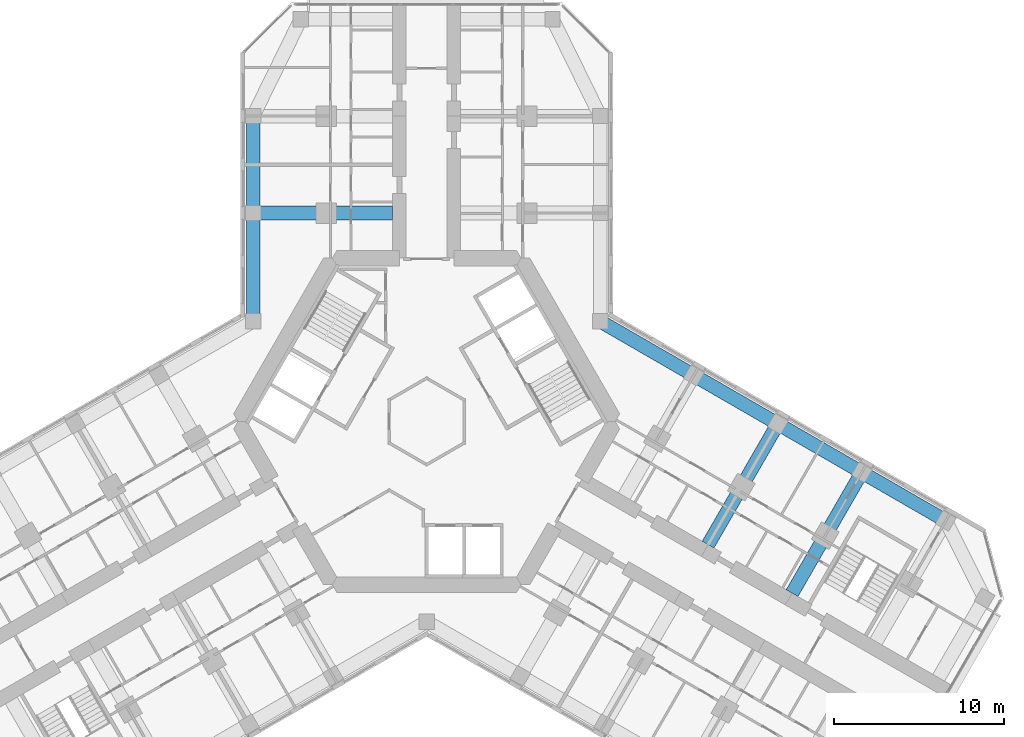
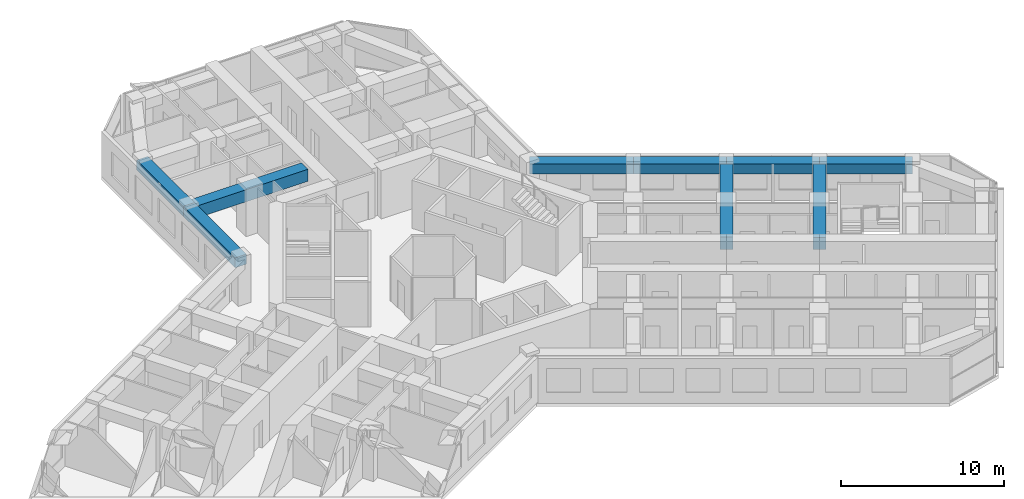
# One storey, part 6 of 19: 9 beams.
"""IFC4 building model written with IfcOpenShell, lengths in metres."""

import ifcopenshell
import ifcopenshell.guid

model = None  # the IFC model being written
_history = None  # IfcOwnerHistory: only IFC2X3 demands one
_inside = {}  # id of a spatial element -> (the spatial element, [elements in it])
_under = {}  # id of a project, library or spatial element -> (it, [spatial elements below it])
_declared = {}  # id of a project -> (the project, [libraries it declares])
_typed = {}  # id of a type object -> (the type object, [elements of that type])
_made_of = {}  # id of a material, layer set ... -> (it, [elements and type objects made of it])


def new_model(schema):
    """Start an empty IFC model of exactly this schema.

    Asked for "IFC4X3", IfcOpenShell would pick the latest addendum, in which some entities
    have other attributes; the version numbers below select the first issue.
    IFC2X3 requires an IfcOwnerHistory on every rooted entity: one is made here for all.
    """
    global model, _history
    if schema == "IFC4X3":
        model = ifcopenshell.file(schema_version=(4, 3, 0, 0))
    else:
        model = ifcopenshell.file(schema=schema)
    _inside.clear()
    _under.clear()
    _declared.clear()
    _typed.clear()
    _made_of.clear()
    _history = None
    if model.schema == "IFC2X3":
        org = make("IfcOrganization", Name="unknown")
        user = make(
            "IfcPersonAndOrganization",
            ThePerson=make("IfcPerson", FamilyName="unknown"),
            TheOrganization=org,
        )
        app = make(
            "IfcApplication",
            ApplicationDeveloper=org,
            Version="unknown",
            ApplicationFullName="unknown",
            ApplicationIdentifier="unknown",
        )
        _history = make(
            "IfcOwnerHistory",
            OwningUser=user,
            OwningApplication=app,
            ChangeAction="ADDED",
            CreationDate=0,
        )
    return model


def make(cls, **values):
    """One entity of the class cls with the attributes given. An attribute that is None is left unset."""
    return model.create_entity(
        cls, **{name: value for name, value in values.items() if value is not None}
    )


def rooted(cls, **values):
    """An entity with a GlobalId (a new one), such as an element, a storey or a relation."""
    return make(cls, GlobalId=ifcopenshell.guid.new(), OwnerHistory=_history, **values)


def si_unit(unit_type, name, prefix=None):
    """IfcSIUnit, for example si_unit("LENGTHUNIT", "METRE", prefix="MILLI")."""
    return make("IfcSIUnit", UnitType=unit_type, Prefix=prefix, Name=name)


def assignment(units):
    """IfcUnitAssignment: the units of a project."""
    return None if units is None else make("IfcUnitAssignment", Units=units)


def point(xyz):
    """IfcCartesianPoint."""
    return None if xyz is None else make("IfcCartesianPoint", Coordinates=xyz)


def direction(xyz):
    """IfcDirection."""
    return None if xyz is None else make("IfcDirection", DirectionRatios=xyz)


def frame(location, z_axis=None, x_axis=None):
    """IfcAxis2Placement3D, a coordinate frame: its origin and axes. An axis left out is left unset."""
    return make(
        "IfcAxis2Placement3D",
        Location=point(location),
        Axis=direction(z_axis),
        RefDirection=direction(x_axis),
    )


def frame_2d(location, x_axis=None):
    """IfcAxis2Placement2D, a coordinate frame in the plane: its origin and x axis."""
    return make(
        "IfcAxis2Placement2D", Location=point(location), RefDirection=direction(x_axis)
    )


def origin():
    """The frame at (0, 0, 0) with its axes left unset."""
    return frame((0.0, 0.0, 0.0))


def origin_2d():
    """The frame at (0, 0) in the plane with its x axis left unset."""
    return frame_2d((0.0, 0.0))


def place(relative_to, where):
    """IfcLocalPlacement: puts the frame where relative to a parent placement (None: the world)."""
    return make(
        "IfcLocalPlacement", PlacementRelTo=relative_to, RelativePlacement=where
    )


def context(
    kind, dimensions, precision=None, world=None, true_north=None, identifier=None
):
    """IfcGeometricRepresentationContext, for example the 3D "Model" context."""
    return make(
        "IfcGeometricRepresentationContext",
        ContextIdentifier=identifier,
        ContextType=kind,
        CoordinateSpaceDimension=dimensions,
        Precision=precision,
        WorldCoordinateSystem=world,
        TrueNorth=true_north,
    )


def subcontext(parent, identifier, kind, view, scale=None):
    """IfcGeometricRepresentationSubContext, for example "Body" below "Model"."""
    return make(
        "IfcGeometricRepresentationSubContext",
        ContextIdentifier=identifier,
        ContextType=kind,
        ParentContext=parent,
        TargetScale=scale,
        TargetView=view,
    )


def project(units=None, contexts=None):
    """IfcProject with its units and contexts."""
    return rooted(
        "IfcProject",
        Name="project",
        RepresentationContexts=contexts,
        UnitsInContext=assignment(units),
    )


def spatial(cls, under=None, at=None, **own):
    """A site, building, storey or space (cls), placed at a placement, below another one or the project."""
    s = rooted(cls, ObjectPlacement=at, **own)
    if under is not None:
        _under.setdefault(under.id(), (under, []))[1].append(s)
    return s


def profile(cls, at=None, kind="AREA", **sizes):
    """A parametric profile (cls). Its sizes go by their IFC names, for example OverallWidth=200.0."""
    return make(cls, ProfileType=kind, Position=at, **sizes)


def rectangle(**sizes):
    """IfcRectangleProfileDef."""
    return profile("IfcRectangleProfileDef", **sizes)


def extrude(swept, where, along, depth):
    """IfcExtrudedAreaSolid: the profile swept, set in the frame where, extruded along a direction by depth."""
    return make(
        "IfcExtrudedAreaSolid",
        SweptArea=swept,
        Position=where,
        ExtrudedDirection=direction(along),
        Depth=depth,
    )


def shape(context_of_items, identifier, shape_type, items):
    """IfcShapeRepresentation: the items that make up one representation, for example the "Body"."""
    return make(
        "IfcShapeRepresentation",
        ContextOfItems=context_of_items,
        RepresentationIdentifier=identifier,
        RepresentationType=shape_type,
        Items=items,
    )


def material(Name=None, Category=None):
    """IfcMaterial."""
    return make("IfcMaterial", Name=Name, Category=Category)


def material_profile(
    of_material, cross_section, Name=None, Category=None, Priority=None
):
    """IfcMaterialProfile: a cross section and its material."""
    return make(
        "IfcMaterialProfile",
        Name=Name,
        Material=of_material,
        Profile=cross_section,
        Priority=Priority,
        Category=Category,
    )


def profile_set(profiles, Name=None, composite=None):
    """IfcMaterialProfileSet."""
    return make(
        "IfcMaterialProfileSet",
        Name=Name,
        MaterialProfiles=profiles,
        CompositeProfile=composite,
    )


def made_of(thing, what):
    """Note that an element or type object is made of a material, layer set ...; save() writes the relation."""
    if what is not None:
        _made_of.setdefault(what.id(), (what, []))[1].append(thing)
    return thing


def type_object(cls, material=None, **own):
    """A type object (cls), such as IfcWallType, which elements share."""
    return made_of(rooted(cls, **own), material)


def element(
    cls,
    number,
    at=None,
    inside=None,
    cuts=None,
    type_object=None,
    material=None,
    context=None,
    identifier="Body",
    shape_type=None,
    held_by="IfcProductDefinitionShape",
    body=None,
    shapes=None,
    **own,
):
    """One element of the class cls, such as IfcWall. Its Tag is "e" and its number.

    at: its placement. inside: the storey or other place that contains it. cuts: it is an
    opening in that element (IfcRelVoidsElement). A single representation is given by context,
    identifier, shape_type and body (its items); several are given by shapes. held_by: the class
    of the entity that holds the representations. save() writes the other relations.
    """
    e = rooted(cls, Tag="e%d" % number, ObjectPlacement=at, **own)
    if body is not None:
        shapes = [shape(context, identifier, shape_type, body)]
    if shapes is not None:
        e.Representation = make(held_by, Representations=shapes)
    if inside is not None:
        _inside.setdefault(inside.id(), (inside, []))[1].append(e)
    if cuts is not None:
        rooted(
            "IfcRelVoidsElement", RelatingBuildingElement=cuts, RelatedOpeningElement=e
        )
    if type_object is not None:
        _typed.setdefault(type_object.id(), (type_object, []))[1].append(e)
    return made_of(e, material)


def aggregate(whole, parts):
    """IfcRelAggregates: a whole, such as a stair, and the parts it consists of."""
    return rooted("IfcRelAggregates", RelatingObject=whole, RelatedObjects=parts)


def save(model, path):
    """Write the relations noted so far, then the file.

    IfcRelAggregates (storeys below a building ...), IfcRelContainedInSpatialStructure (elements
    in a storey), IfcRelDefinesByType, IfcRelAssociatesMaterial and IfcRelDeclares: one each for
    every whole, place, type object, material and project.
    """
    for whole, parts in _under.values():
        aggregate(whole, parts)
    for where, things in _inside.values():
        rooted(
            "IfcRelContainedInSpatialStructure",
            RelatedElements=things,
            RelatingStructure=where,
        )
    for kind, things in _typed.values():
        rooted("IfcRelDefinesByType", RelatedObjects=things, RelatingType=kind)
    for what, things in _made_of.values():
        rooted("IfcRelAssociatesMaterial", RelatedObjects=things, RelatingMaterial=what)
    for by, libraries in _declared.values():
        rooted("IfcRelDeclares", RelatingContext=by, RelatedDefinitions=libraries)
    model.write(path)


model = new_model("IFC4")

# Units and contexts
model_context = context("Model", 3, precision=1e-05, world=origin(), true_north=direction((0.0, 1.0)))
body_context = subcontext(model_context, "Body", "Model", "MODEL_VIEW")
ifc_project = project(units=[si_unit("LENGTHUNIT", "METRE"), si_unit("AREAUNIT", "SQUARE_METRE"), si_unit("VOLUMEUNIT", "CUBIC_METRE"), si_unit("PLANEANGLEUNIT", "RADIAN"), si_unit("MASSUNIT", "GRAM", prefix="KILO")], contexts=[model_context])

# Site, building, storey
site_placement = place(None, origin())
site = spatial("IfcSite", under=ifc_project, at=site_placement, CompositionType="ELEMENT")
building_placement = place(site_placement, origin())
building = spatial("IfcBuilding", under=site, at=building_placement, Name="Kosmar Iwan School Tower", CompositionType="ELEMENT")
storey_placement = place(building_placement, frame((0.0, 0.0, 161.60009765625)))
storey = spatial("IfcBuildingStorey", under=building, at=storey_placement, Name="L40", CompositionType="ELEMENT", Elevation=161.60009765625)

# Beams
ifc_material_1 = material(Name="Concrete C50/60", Category="concrete")
ifc_material_profile_1 = material_profile(ifc_material_1, rectangle(XDim=0.800048828125, YDim=0.75, at=origin_2d()), Name="RC 800x750")
ifc_profile_set_1 = profile_set([ifc_material_profile_1], Name="Concrete C50/60")
beam_type_1 = type_object("IfcBeamType", Name="RC edge beam 800x750", PredefinedType="BEAM", material=ifc_profile_set_1)
beam_1_placement = place(storey_placement, frame((-10.199951171875, 5.888916015625, 2.974853515625), z_axis=(0.0, 1.0, 0.0), x_axis=(-1.0, 0.0, 0.0)))
element("IfcBeam", 1, at=beam_1_placement, inside=storey, type_object=beam_type_1, Name="Edge beam AL1", PredefinedType="BEAM", context=body_context, shape_type="SweptSolid", body=[
    extrude(rectangle(XDim=0.800048828125, YDim=0.75, at=origin_2d()), origin(), (0.0, 0.0, 1.0), 6.361083984375),
])
beam_2_placement = place(storey_placement, frame((-10.199951171875, 12.25, 2.974853515625), z_axis=(0.0, 1.0, 0.0), x_axis=(-1.0, 0.0, 0.0)))
element("IfcBeam", 2, at=beam_2_placement, inside=storey, type_object=beam_type_1, Name="Edge beam AL2", PredefinedType="BEAM", context=body_context, shape_type="SweptSolid", body=[
    extrude(rectangle(XDim=0.800048828125, YDim=0.75, at=origin_2d()), origin(), (0.0, 0.0, 1.0), 5.699951171875),
])
beam_3_placement = place(storey_placement, frame((10.199951171875, 5.888916015625, 2.974853515625), z_axis=(0.866030912664, -0.49999045822, 0.0), x_axis=(0.49999045822, 0.866030912664, 0.0)))
element("IfcBeam", 3, at=beam_3_placement, inside=storey, type_object=beam_type_1, Name="Edge beam CL1", PredefinedType="BEAM", context=body_context, shape_type="SweptSolid", body=[
    extrude(rectangle(XDim=0.800048828125, YDim=0.75, at=origin_2d()), origin(), (0.0, 0.0, 1.0), 6.36083984375),
])
beam_4_placement = place(storey_placement, frame((15.708740234375, 2.70849609375, 2.974853515625), z_axis=(0.866025820012, -0.499999279071, 0.0), x_axis=(0.499999279071, 0.866025820012, 0.0)))
element("IfcBeam", 4, at=beam_4_placement, inside=storey, type_object=beam_type_1, Name="Edge beam CL2", PredefinedType="BEAM", context=body_context, shape_type="SweptSolid", body=[
    extrude(rectangle(XDim=0.800048828125, YDim=0.75, at=origin_2d()), origin(), (0.0, 0.0, 1.0), 5.7001953125),
])
for number, where, z_axis, x_axis, name in (
    (5, (20.645263671875, -0.1416015625, 2.974853515625), (0.866033658841, -0.49998570155, 0.0), (0.49998570155, 0.866033658841, 0.0), "Edge beam CL3"),
    (6, (25.58154296875, -2.991455078125, 2.974853515625), (0.866015111908, -0.50001782563, 0.0), (0.50001782563, 0.866015111908, 0.0), "Edge beam CL4"),
):
    element("IfcBeam", number, at=place(storey_placement, frame(where, z_axis=z_axis, x_axis=x_axis)), inside=storey, type_object=beam_type_1, Name=name, PredefinedType="BEAM", context=body_context, shape_type="SweptSolid", body=[
        extrude(rectangle(XDim=0.800048828125, YDim=0.75, at=origin_2d()), origin(), (0.0, 0.0, 1.0), 5.699951171875),
    ])
ifc_material_2 = material(Name="Concrete C50/60", Category="concrete")
ifc_material_profile_2 = material_profile(ifc_material_2, rectangle(XDim=0.800048828125, YDim=0.89990234375, at=origin_2d()), Name="RC 800x900")
ifc_profile_set_2 = profile_set([ifc_material_profile_2], Name="Concrete C50/60")
beam_type_2 = type_object("IfcBeamType", Name="RC transverse beam 800x900", PredefinedType="BEAM", material=ifc_profile_set_2)
for number, where, z_axis, x_axis, name in (
    (7, (-10.199951171875, 12.25, 2.89990234375), (1.0, 0.0, 0.0), (0.0, 1.0, 0.0), "Transverse beam AL1"),
    (8, (20.645263671875, -0.1416015625, 2.89990234375), (-0.500013681986, -0.866017504342, 0.0), (0.866017504342, -0.500013681986, 0.0), "Transverse beam CL2"),
):
    element("IfcBeam", number, at=place(storey_placement, frame(where, z_axis=z_axis, x_axis=x_axis)), inside=storey, type_object=beam_type_2, Name=name, PredefinedType="BEAM", context=body_context, shape_type="SweptSolid", body=[
        extrude(rectangle(XDim=0.800048828125, YDim=0.89990234375, at=origin_2d()), origin(), (0.0, 0.0, 1.0), 8.199951171875),
    ])
beam_5_placement = place(storey_placement, frame((25.58154296875, -2.991455078125, 2.89990234375), z_axis=(-0.500000789788, -0.8660249478, 0.0), x_axis=(0.8660249478, -0.500000789788, 0.0)))
element("IfcBeam", 9, at=beam_5_placement, inside=storey, type_object=beam_type_2, Name="Transverse beam CL3", PredefinedType="BEAM", context=body_context, shape_type="SweptSolid", body=[
    extrude(rectangle(XDim=0.800048828125, YDim=0.89990234375, at=origin_2d()), origin(), (0.0, 0.0, 1.0), 8.2001953125),
])

save(model, "model.ifc")
